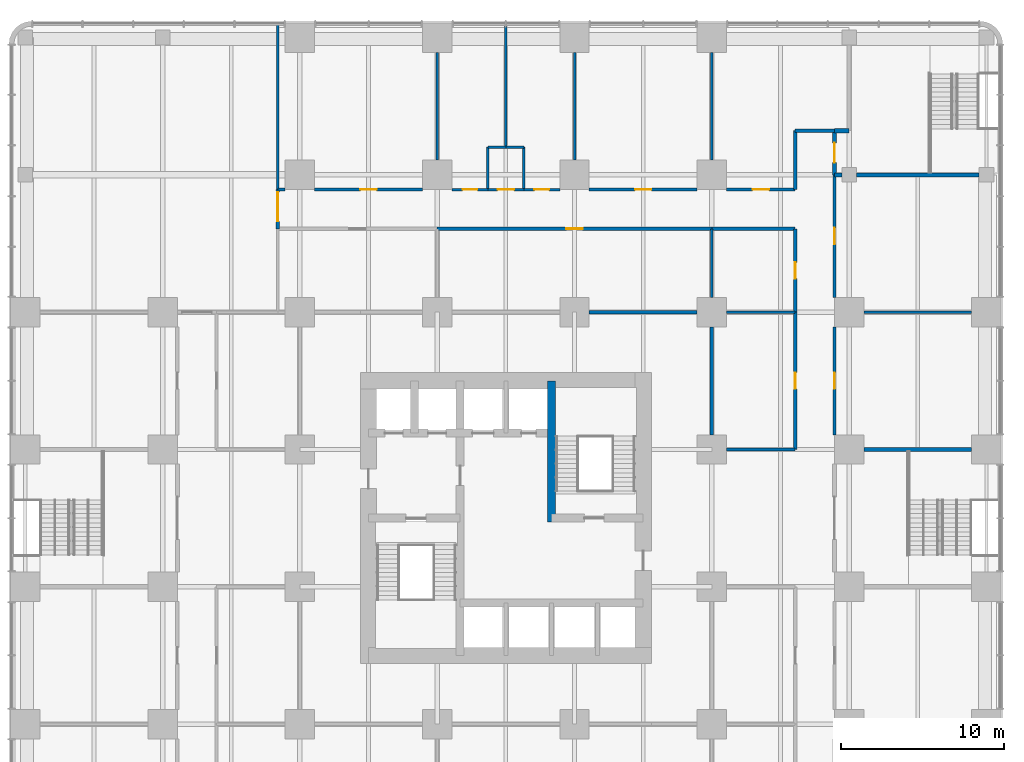
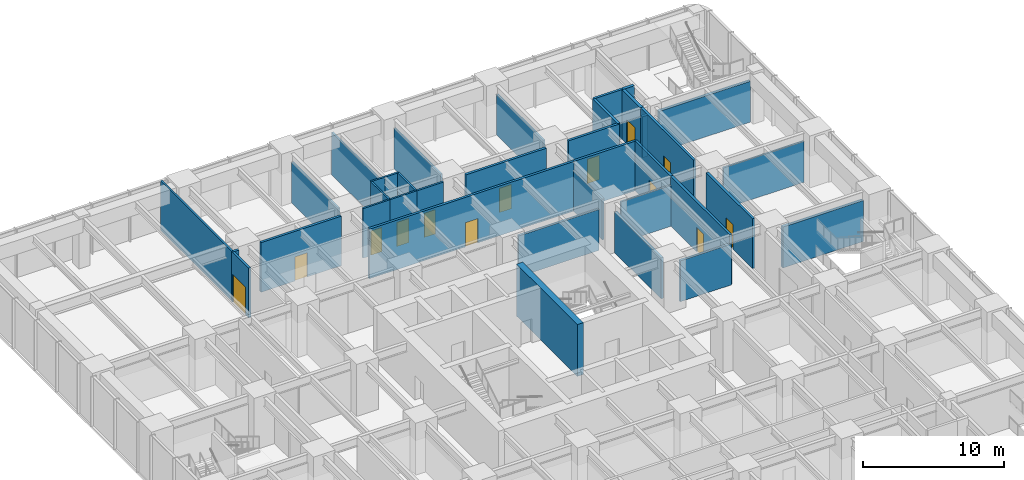
# One storey, part 12 of 17: 37 walls, 13 doors, 13 openings.
"""IFC4 building model written with IfcOpenShell, lengths in metres."""

from ifc_helpers import new_model, si_unit, direction, frame, frame_2d, origin, place, context, subcontext, project, spatial, rectangle, extrude, material, layer, layer_set, type_object, element, fill, save


model = new_model("IFC4")

# Units and contexts
model_context = context("Model", 3, precision=1e-05, world=origin(), true_north=direction((0.0, 1.0)))
body_context = subcontext(model_context, "Body", "Model", "MODEL_VIEW")
ifc_project = project(units=[si_unit("LENGTHUNIT", "METRE"), si_unit("AREAUNIT", "SQUARE_METRE"), si_unit("VOLUMEUNIT", "CUBIC_METRE"), si_unit("PLANEANGLEUNIT", "RADIAN"), si_unit("MASSUNIT", "GRAM", prefix="KILO")], contexts=[model_context])

# Site, building, storey
site_placement = place(None, origin())
site = spatial("IfcSite", under=ifc_project, at=site_placement, CompositionType="ELEMENT")
building_placement = place(site_placement, origin())
building = spatial("IfcBuilding", under=site, at=building_placement, Name="Torre Alcanfor", CompositionType="ELEMENT")
storey_placement = place(building_placement, frame((0.0, 0.0, 19.5)))
storey = spatial("IfcBuildingStorey", under=building, at=storey_placement, Name="L04", CompositionType="ELEMENT", Elevation=19.5)

# Walls
ifc_material_1 = material(Name="Concrete block masonry, hollow blocks NMX-C-404 9 MPa", Category="masonry")
ifc_layer_1 = layer(ifc_material_1, 0.14990234375)
ifc_layer_set_1 = layer_set([ifc_layer_1], Name="Classroom partition 150")
wall_type_1 = type_object("IfcWallType", Name="Classroom partition 150", PredefinedType="PARTITIONING", material=ifc_layer_set_1)
wall_1_placement = place(storey_placement, frame((51.300048828125, 42.0, 0.0), z_axis=(0.0, 0.0, 1.0), x_axis=(1.0, 0.0, 0.0)))
element("IfcWall", 1, at=wall_1_placement, inside=storey, type_object=wall_type_1, Name="Partition L04-13 / L04-14", PredefinedType="PARTITIONING", context=body_context, shape_type="SweptSolid", body=[
    extrude(rectangle(XDim=6.599853515625, YDim=0.14990234375, at=frame_2d((3.2998046875, 0.0))), origin(), (0.0, 0.0, 1.0), 3.543212890625),
])
wall_2_placement = place(storey_placement, frame((15.449951171875, 49.5, 0.0), z_axis=(0.0, 0.0, 1.0), x_axis=(0.0, 1.0, 0.0)))
element("IfcWall", 2, at=wall_2_placement, inside=storey, type_object=wall_type_1, Name="Partition L04-15 / L04-HALL", PredefinedType="PARTITIONING", context=body_context, shape_type="SweptSolid", body=[
    extrude(rectangle(XDim=10.1259765625, YDim=0.14990234375, at=frame_2d((5.06298828125, 0.0))), origin(), (0.0, 0.0, 1.0), 4.300048828125),
])
wall_3_placement = place(storey_placement, frame((42.0, 57.89990234375, 0.0), z_axis=(0.0, 0.0, 1.0), x_axis=(0.0, -1.0, 0.0)))
element("IfcWall", 3, at=wall_3_placement, inside=storey, type_object=wall_type_1, Name="Partition L04-16 / L04-18", PredefinedType="PARTITIONING", context=body_context, shape_type="SweptSolid", body=[
    extrude(rectangle(XDim=6.599853515625, YDim=0.14990234375, at=frame_2d((3.2998046875, 0.0))), origin(), (0.0, 0.0, 1.0), 3.543212890625),
])
for number, where, z_axis, x_axis, name in (
    (4, (42.89990234375, 42.0, 0.0), (0.0, 0.0, 1.0), (1.0, 0.0, 0.0), "Partition L04-I07 / L04-I10"),
    (5, (42.0, 47.10009765625, 0.0), (0.0, 0.0, 1.0), (0.0, -1.0, 0.0), "Partition L04-I09 / L04-I10"),
):
    element("IfcWall", number, at=place(storey_placement, frame(where, z_axis=z_axis, x_axis=x_axis)), inside=storey, type_object=wall_type_1, Name=name, PredefinedType="PARTITIONING", context=body_context, shape_type="SweptSolid", body=[
        extrude(rectangle(XDim=4.2001953125, YDim=0.14990234375, at=frame_2d((2.10009765625, 0.0))), origin(), (0.0, 0.0, 1.0), 3.543212890625),
    ])
ifc_material_2 = material(Name="Concrete f'c 70 MPa", Category="concrete")
ifc_layer_2 = layer(ifc_material_2, 0.5)
ifc_layer_set_2 = layer_set([ifc_layer_2], Name="Core inner wall 500 f'c70")
wall_type_2 = type_object("IfcWallType", Name="Core inner wall 500 f'c70", PredefinedType="SHEAR", material=ifc_layer_set_2)
wall_4_placement = place(storey_placement, frame((32.199951171875, 29.14990234375, 0.0), z_axis=(0.0, 0.0, 1.0), x_axis=(0.0, 1.0, 0.0)))
element("IfcWall", 6, at=wall_4_placement, inside=storey, type_object=wall_type_2, Name="Core wall X322N L04", PredefinedType="SHEAR", context=body_context, shape_type="SweptSolid", body=[
    extrude(rectangle(XDim=8.650146484375, YDim=0.5, at=frame_2d((4.3251953125, 0.0))), origin(), (0.0, 0.0, 1.0), 4.5),
])

# Wall, opening, door
ifc_material_3 = material(Name="Concrete block masonry, hollow blocks NMX-C-404 9 MPa", Category="masonry")
ifc_layer_3 = layer(ifc_material_3, 0.199951171875)
ifc_layer_set_3 = layer_set([ifc_layer_3], Name="School corridor wall 200")
wall_type_3 = type_object("IfcWallType", Name="School corridor wall 200", PredefinedType="PARTITIONING", material=ifc_layer_set_3)
wall_5_placement = place(storey_placement, frame((49.5, 34.5, 0.0), z_axis=(0.0, 0.0, 1.0), x_axis=(0.0, 1.0, 0.0)))
wall_5 = element("IfcWall", 7, at=wall_5_placement, inside=storey, type_object=wall_type_3, Name="Partition L04-13 / L04-CORR", PredefinedType="PARTITIONING", context=body_context, shape_type="SweptSolid", body=[
    extrude(rectangle(XDim=6.60009765625, YDim=0.199951171875, at=frame_2d((3.300048828125, 0.0))), origin(), (0.0, 0.0, 1.0), 4.300048828125),
])
opening_1_placement = place(wall_5_placement, frame((2.800048828125, 0.0, 0.0)))
opening_1 = element("IfcOpeningElement", 8, at=opening_1_placement, cuts=wall_5, Name="Opening D-C1", PredefinedType="OPENING", context=body_context, shape_type="SweptSolid", body=[
    extrude(rectangle(XDim=1.0, YDim=2.10009765625, at=frame_2d((0.5, 1.050048828125))), frame((0.0, 0.10986328125, 0.0), z_axis=(0.0, -1.0, 0.0), x_axis=(1.0, 0.0, 0.0)), (0.0, 0.0, 1.0), 0.219970703125),
])
ifc_material_4 = material(Name="Timber", Category="wood")
door_type_1 = type_object("IfcDoorType", Name="Classroom door 1000x2100", OperationType="SINGLE_SWING_RIGHT", PredefinedType="DOOR", material=ifc_material_4)
door_1_placement = place(opening_1_placement, frame((1.0, 0.0, 0.0), z_axis=(0.0, 0.0, 1.0), x_axis=(-1.0, 0.0, 0.0)))
door_1 = element("IfcDoor", 9, at=door_1_placement, inside=storey, type_object=door_type_1, Name="Door L04-13 classroom", OperationType="SINGLE_SWING_RIGHT", OverallHeight=2.10009765625, OverallWidth=1.0, PredefinedType="DOOR", context=body_context, shape_type="SweptSolid", body=[
    extrude(rectangle(XDim=1.0, YDim=2.10009765625, at=frame_2d((0.5, 1.050048828125))), frame((0.0, 0.025146484375, 0.0), z_axis=(0.0, -1.0, 0.0), x_axis=(1.0, 0.0, 0.0)), (0.0, 0.0, 1.0), 0.050048828125),
])
fill(opening_1, door_1)

wall_6_placement = place(storey_placement, frame((49.5, 42.89990234375, 0.0), z_axis=(0.0, 0.0, 1.0), x_axis=(0.0, 1.0, 0.0)))
wall_6 = element("IfcWall", 10, at=wall_6_placement, inside=storey, type_object=wall_type_3, Name="Partition L04-14 / L04-CORR", PredefinedType="PARTITIONING", context=body_context, shape_type="SweptSolid", body=[
    extrude(rectangle(XDim=7.5, YDim=0.199951171875, at=frame_2d((3.75, 0.0))), origin(), (0.0, 0.0, 1.0), 4.300048828125),
])
opening_2_placement = place(wall_6_placement, frame((3.25, 0.0, 0.0)))
opening_2 = element("IfcOpeningElement", 11, at=opening_2_placement, cuts=wall_6, Name="Opening D-C1", PredefinedType="OPENING", context=body_context, shape_type="SweptSolid", body=[
    extrude(rectangle(XDim=1.0, YDim=2.10009765625, at=frame_2d((0.5, 1.050048828125))), frame((0.0, 0.10986328125, 0.0), z_axis=(0.0, -1.0, 0.0), x_axis=(1.0, 0.0, 0.0)), (0.0, 0.0, 1.0), 0.219970703125),
])
door_2_placement = place(opening_2_placement, frame((1.0, 0.0, 0.0), z_axis=(0.0, 0.0, 1.0), x_axis=(-1.0, 0.0, 0.0)))
door_2 = element("IfcDoor", 12, at=door_2_placement, inside=storey, type_object=door_type_1, Name="Door L04-14 classroom", OperationType="SINGLE_SWING_RIGHT", OverallHeight=2.10009765625, OverallWidth=1.0, PredefinedType="DOOR", context=body_context, shape_type="SweptSolid", body=[
    extrude(rectangle(XDim=1.0, YDim=2.10009765625, at=frame_2d((0.5, 1.050048828125))), frame((0.0, 0.025146484375, 0.0), z_axis=(0.0, -1.0, 0.0), x_axis=(1.0, 0.0, 0.0)), (0.0, 0.0, 1.0), 0.050048828125),
])
fill(opening_2, door_2)

# Wall
wall_7_placement = place(storey_placement, frame((15.89990234375, 49.5, 0.0), z_axis=(0.0, 0.0, 1.0), x_axis=(-1.0, 0.0, 0.0)))
element("IfcWall", 13, at=wall_7_placement, inside=storey, type_object=wall_type_3, Name="Partition L04-15 / L04-CORR", PredefinedType="PARTITIONING", context=body_context, shape_type="SweptSolid", body=[
    extrude(rectangle(XDim=0.449951171875, YDim=0.199951171875, at=frame_2d((0.22509765625, 0.0))), origin(), (0.0, 0.0, 1.0), 4.300048828125),
])

# Wall, opening, door
wall_8_placement = place(storey_placement, frame((24.300048828125, 49.5, 0.0), z_axis=(0.0, 0.0, 1.0), x_axis=(-1.0, 0.0, 0.0)))
wall_8 = element("IfcWall", 14, at=wall_8_placement, inside=storey, type_object=wall_type_3, Name="Partition L04-15 / L04-CORR", PredefinedType="PARTITIONING", context=body_context, shape_type="SweptSolid", body=[
    extrude(rectangle(XDim=6.60009765625, YDim=0.199951171875, at=frame_2d((3.300048828125, 0.0))), origin(), (0.0, 0.0, 1.0), 4.300048828125),
])
opening_3_placement = place(wall_8_placement, frame((2.800048828125, 0.0, 0.0)))
opening_3 = element("IfcOpeningElement", 15, at=opening_3_placement, cuts=wall_8, Name="Opening D-C1", PredefinedType="OPENING", context=body_context, shape_type="SweptSolid", body=[
    extrude(rectangle(XDim=1.0, YDim=2.10009765625, at=frame_2d((0.5, 1.050048828125))), frame((0.0, 0.10986328125, 0.0), z_axis=(0.0, -1.0, 0.0), x_axis=(1.0, 0.0, 0.0)), (0.0, 0.0, 1.0), 0.219970703125),
])
door_3_placement = place(opening_3_placement, frame((1.0, 0.0, 0.0), z_axis=(0.0, 0.0, 1.0), x_axis=(-1.0, 0.0, 0.0)))
door_3 = element("IfcDoor", 16, at=door_3_placement, inside=storey, type_object=door_type_1, Name="Door L04-15 classroom", OperationType="SINGLE_SWING_RIGHT", OverallHeight=2.10009765625, OverallWidth=1.0, PredefinedType="DOOR", context=body_context, shape_type="SweptSolid", body=[
    extrude(rectangle(XDim=1.0, YDim=2.10009765625, at=frame_2d((0.5, 1.050048828125))), frame((0.0, 0.025146484375, 0.0), z_axis=(0.0, -1.0, 0.0), x_axis=(1.0, 0.0, 0.0)), (0.0, 0.0, 1.0), 0.050048828125),
])
fill(opening_3, door_3)

wall_9_placement = place(storey_placement, frame((41.10009765625, 49.5, 0.0), z_axis=(0.0, 0.0, 1.0), x_axis=(-1.0, 0.0, 0.0)))
wall_9 = element("IfcWall", 17, at=wall_9_placement, inside=storey, type_object=wall_type_3, Name="Partition L04-16 / L04-CORR", PredefinedType="PARTITIONING", context=body_context, shape_type="SweptSolid", body=[
    extrude(rectangle(XDim=6.60009765625, YDim=0.199951171875, at=frame_2d((3.300048828125, 0.0))), origin(), (0.0, 0.0, 1.0), 4.300048828125),
])
opening_4_placement = place(wall_9_placement, frame((2.800048828125, 0.0, 0.0)))
opening_4 = element("IfcOpeningElement", 18, at=opening_4_placement, cuts=wall_9, Name="Opening D-C1", PredefinedType="OPENING", context=body_context, shape_type="SweptSolid", body=[
    extrude(rectangle(XDim=1.0, YDim=2.10009765625, at=frame_2d((0.5, 1.050048828125))), frame((0.0, 0.10986328125, 0.0), z_axis=(0.0, -1.0, 0.0), x_axis=(1.0, 0.0, 0.0)), (0.0, 0.0, 1.0), 0.219970703125),
])
door_4_placement = place(opening_4_placement, frame((1.0, 0.0, 0.0), z_axis=(0.0, 0.0, 1.0), x_axis=(-1.0, 0.0, 0.0)))
door_4 = element("IfcDoor", 19, at=door_4_placement, inside=storey, type_object=door_type_1, Name="Door L04-16 classroom", OperationType="SINGLE_SWING_RIGHT", OverallHeight=2.10009765625, OverallWidth=1.0, PredefinedType="DOOR", context=body_context, shape_type="SweptSolid", body=[
    extrude(rectangle(XDim=1.0, YDim=2.10009765625, at=frame_2d((0.5, 1.050048828125))), frame((0.0, 0.025146484375, 0.0), z_axis=(0.0, -1.0, 0.0), x_axis=(1.0, 0.0, 0.0)), (0.0, 0.0, 1.0), 0.050048828125),
])
fill(opening_4, door_4)

# Walls
wall_10_placement = place(storey_placement, frame((49.5, 53.10009765625, 0.0), z_axis=(0.0, 0.0, 1.0), x_axis=(-1.0, 0.0, 0.0)))
element("IfcWall", 20, at=wall_10_placement, inside=storey, type_object=wall_type_3, Name="Partition L04-18 / L04-CORR", PredefinedType="PARTITIONING", context=body_context, shape_type="SweptSolid", body=[
    extrude(rectangle(XDim=2.39990234375, YDim=0.199951171875, at=frame_2d((1.199951171875, 0.0))), origin(), (0.0, 0.0, 1.0), 4.300048828125),
])
wall_11_placement = place(storey_placement, frame((47.10009765625, 53.10009765625, 0.0), z_axis=(0.0, 0.0, 1.0), x_axis=(0.0, -1.0, 0.0)))
element("IfcWall", 21, at=wall_11_placement, inside=storey, type_object=wall_type_3, Name="Partition L04-18 / L04-CORR", PredefinedType="PARTITIONING", context=body_context, shape_type="SweptSolid", body=[
    extrude(rectangle(XDim=3.60009765625, YDim=0.199951171875, at=frame_2d((1.800048828125, 0.0))), origin(), (0.0, 0.0, 1.0), 4.300048828125),
])

# Wall, opening, door
wall_12_placement = place(storey_placement, frame((47.10009765625, 49.5, 0.0), z_axis=(0.0, 0.0, 1.0), x_axis=(-1.0, 0.0, 0.0)))
wall_12 = element("IfcWall", 22, at=wall_12_placement, inside=storey, type_object=wall_type_3, Name="Partition L04-18 / L04-CORR", PredefinedType="PARTITIONING", context=body_context, shape_type="SweptSolid", body=[
    extrude(rectangle(XDim=4.2001953125, YDim=0.199951171875, at=frame_2d((2.10009765625, 0.0))), origin(), (0.0, 0.0, 1.0), 4.300048828125),
])
opening_5_placement = place(wall_12_placement, frame((1.60009765625, 0.0, 0.0)))
opening_5 = element("IfcOpeningElement", 23, at=opening_5_placement, cuts=wall_12, Name="Opening D-C1", PredefinedType="OPENING", context=body_context, shape_type="SweptSolid", body=[
    extrude(rectangle(XDim=1.0, YDim=2.10009765625, at=frame_2d((0.5, 1.050048828125))), frame((0.0, 0.10986328125, 0.0), z_axis=(0.0, -1.0, 0.0), x_axis=(1.0, 0.0, 0.0)), (0.0, 0.0, 1.0), 0.219970703125),
])
door_5_placement = place(opening_5_placement, frame((1.0, 0.0, 0.0), z_axis=(0.0, 0.0, 1.0), x_axis=(-1.0, 0.0, 0.0)))
door_5 = element("IfcDoor", 24, at=door_5_placement, inside=storey, type_object=door_type_1, Name="Door L04-18 classroom", OperationType="SINGLE_SWING_RIGHT", OverallHeight=2.10009765625, OverallWidth=1.0, PredefinedType="DOOR", context=body_context, shape_type="SweptSolid", body=[
    extrude(rectangle(XDim=1.0, YDim=2.10009765625, at=frame_2d((0.5, 1.050048828125))), frame((0.0, 0.025146484375, 0.0), z_axis=(0.0, -1.0, 0.0), x_axis=(1.0, 0.0, 0.0)), (0.0, 0.0, 1.0), 0.050048828125),
])
fill(opening_5, door_5)

wall_13_placement = place(storey_placement, frame((15.449951171875, 49.5, 0.0), z_axis=(0.0, 0.0, 1.0), x_axis=(0.0, -1.0, 0.0)))
wall_13 = element("IfcWall", 25, at=wall_13_placement, inside=storey, type_object=wall_type_3, Name="Partition L04-HALL / L04-CORR", PredefinedType="PARTITIONING", context=body_context, shape_type="SweptSolid", body=[
    extrude(rectangle(XDim=2.39990234375, YDim=0.199951171875, at=frame_2d((1.199951171875, 0.0))), origin(), (0.0, 0.0, 1.0), 4.300048828125),
])
opening_6_placement = place(wall_13_placement, frame((0.14990234375, 0.0, 0.0)))
opening_6 = element("IfcOpeningElement", 26, at=opening_6_placement, cuts=wall_13, Name="Opening D-C2", PredefinedType="OPENING", context=body_context, shape_type="SweptSolid", body=[
    extrude(rectangle(XDim=1.800048828125, YDim=2.39990234375, at=frame_2d((0.89990234375, 1.199951171875))), frame((0.0, 0.10986328125, 0.0), z_axis=(0.0, -1.0, 0.0), x_axis=(1.0, 0.0, 0.0)), (0.0, 0.0, 1.0), 0.219970703125),
])
ifc_material_5 = material(Name="Timber", Category="wood")
door_type_2 = type_object("IfcDoorType", Name="Double door 1800x2400", OperationType="DOUBLE_DOOR_SINGLE_SWING", PredefinedType="DOOR", material=ifc_material_5)
door_6_placement = place(opening_6_placement, origin())
door_6 = element("IfcDoor", 27, at=door_6_placement, inside=storey, type_object=door_type_2, Name="Door L04-HALL sports hall second exit", OperationType="DOUBLE_DOOR_SINGLE_SWING", OverallHeight=2.39990234375, OverallWidth=1.800048828125, PredefinedType="DOOR", context=body_context, shape_type="SweptSolid", body=[
    extrude(rectangle(XDim=1.800048828125, YDim=2.39990234375, at=frame_2d((0.89990234375, 1.199951171875))), frame((0.0, 0.02490234375, 0.0), z_axis=(0.0, -1.0, 0.0), x_axis=(1.0, 0.0, 0.0)), (0.0, 0.0, 1.0), 0.050048828125),
])
fill(opening_6, door_6)

wall_14_placement = place(storey_placement, frame((47.10009765625, 33.60009765625, 0.0), z_axis=(0.0, 0.0, 1.0), x_axis=(0.0, 1.0, 0.0)))
wall_14 = element("IfcWall", 28, at=wall_14_placement, inside=storey, type_object=wall_type_3, Name="Partition L04-CORR / L04-I07", PredefinedType="PARTITIONING", context=body_context, shape_type="SweptSolid", body=[
    extrude(rectangle(XDim=8.39990234375, YDim=0.199951171875, at=frame_2d((4.199951171875, 0.0))), origin(), (0.0, 0.0, 1.0), 4.300048828125),
])
opening_7_placement = place(wall_14_placement, frame((3.699951171875, 0.0, 0.0)))
opening_7 = element("IfcOpeningElement", 29, at=opening_7_placement, cuts=wall_14, Name="Opening D-C1", PredefinedType="OPENING", context=body_context, shape_type="SweptSolid", body=[
    extrude(rectangle(XDim=1.0, YDim=2.10009765625, at=frame_2d((0.5, 1.050048828125))), frame((0.0, 0.10986328125, 0.0), z_axis=(0.0, -1.0, 0.0), x_axis=(1.0, 0.0, 0.0)), (0.0, 0.0, 1.0), 0.219970703125),
])
door_7_placement = place(opening_7_placement, origin())
door_7 = element("IfcDoor", 30, at=door_7_placement, inside=storey, type_object=door_type_1, Name="Door L04-I07 practice room", OperationType="SINGLE_SWING_LEFT", OverallHeight=2.10009765625, OverallWidth=1.0, PredefinedType="DOOR", context=body_context, shape_type="SweptSolid", body=[
    extrude(rectangle(XDim=1.0, YDim=2.10009765625, at=frame_2d((0.5, 1.050048828125))), frame((0.0, 0.02490234375, 0.0), z_axis=(0.0, -1.0, 0.0), x_axis=(1.0, 0.0, 0.0)), (0.0, 0.0, 1.0), 0.050048828125),
])
fill(opening_7, door_7)

wall_15_placement = place(storey_placement, frame((42.0, 47.10009765625, 0.0), z_axis=(0.0, 0.0, 1.0), x_axis=(-1.0, 0.0, 0.0)))
wall_15 = element("IfcWall", 31, at=wall_15_placement, inside=storey, type_object=wall_type_3, Name="Partition L04-CORR / L04-I09", PredefinedType="PARTITIONING", context=body_context, shape_type="SweptSolid", body=[
    extrude(rectangle(XDim=16.800048828125, YDim=0.199951171875, at=frame_2d((8.39990234375, 0.0))), origin(), (0.0, 0.0, 1.0), 4.300048828125),
])
opening_8_placement = place(wall_15_placement, frame((7.89990234375, 0.0, 0.0)))
opening_8 = element("IfcOpeningElement", 32, at=opening_8_placement, cuts=wall_15, Name="Opening D-C1", PredefinedType="OPENING", context=body_context, shape_type="SweptSolid", body=[
    extrude(rectangle(XDim=1.0, YDim=2.10009765625, at=frame_2d((0.5, 1.050048828125))), frame((0.0, 0.10986328125, 0.0), z_axis=(0.0, -1.0, 0.0), x_axis=(1.0, 0.0, 0.0)), (0.0, 0.0, 1.0), 0.219970703125),
])
door_8_placement = place(opening_8_placement, origin())
door_8 = element("IfcDoor", 33, at=door_8_placement, inside=storey, type_object=door_type_1, Name="Door L04-I09 music room", OperationType="SINGLE_SWING_LEFT", OverallHeight=2.10009765625, OverallWidth=1.0, PredefinedType="DOOR", context=body_context, shape_type="SweptSolid", body=[
    extrude(rectangle(XDim=1.0, YDim=2.10009765625, at=frame_2d((0.5, 1.050048828125))), frame((0.0, 0.02490234375, 0.0), z_axis=(0.0, -1.0, 0.0), x_axis=(1.0, 0.0, 0.0)), (0.0, 0.0, 1.0), 0.050048828125),
])
fill(opening_8, door_8)

wall_16_placement = place(storey_placement, frame((47.10009765625, 42.0, 0.0), z_axis=(0.0, 0.0, 1.0), x_axis=(0.0, 1.0, 0.0)))
wall_16 = element("IfcWall", 34, at=wall_16_placement, inside=storey, type_object=wall_type_3, Name="Partition L04-CORR / L04-I10", PredefinedType="PARTITIONING", context=body_context, shape_type="SweptSolid", body=[
    extrude(rectangle(XDim=5.10009765625, YDim=0.199951171875, at=frame_2d((2.550048828125, 0.0))), origin(), (0.0, 0.0, 1.0), 4.300048828125),
])
opening_9_placement = place(wall_16_placement, frame((2.050048828125, 0.0, 0.0)))
opening_9 = element("IfcOpeningElement", 35, at=opening_9_placement, cuts=wall_16, Name="Opening D-C1", PredefinedType="OPENING", context=body_context, shape_type="SweptSolid", body=[
    extrude(rectangle(XDim=1.0, YDim=2.10009765625, at=frame_2d((0.5, 1.050048828125))), frame((0.0, 0.10986328125, 0.0), z_axis=(0.0, -1.0, 0.0), x_axis=(1.0, 0.0, 0.0)), (0.0, 0.0, 1.0), 0.219970703125),
])
door_9_placement = place(opening_9_placement, origin())
door_9 = element("IfcDoor", 36, at=door_9_placement, inside=storey, type_object=door_type_1, Name="Door L04-I10 store", OperationType="SINGLE_SWING_LEFT", OverallHeight=2.10009765625, OverallWidth=1.0, PredefinedType="DOOR", context=body_context, shape_type="SweptSolid", body=[
    extrude(rectangle(XDim=1.0, YDim=2.10009765625, at=frame_2d((0.5, 1.050048828125))), frame((0.0, 0.02490234375, 0.0), z_axis=(0.0, -1.0, 0.0), x_axis=(1.0, 0.0, 0.0)), (0.0, 0.0, 1.0), 0.050048828125),
])
fill(opening_9, door_9)

# Walls
wall_17_placement = place(storey_placement, frame((47.10009765625, 47.10009765625, 0.0), z_axis=(0.0, 0.0, 1.0), x_axis=(-1.0, 0.0, 0.0)))
element("IfcWall", 37, at=wall_17_placement, inside=storey, type_object=wall_type_3, Name="Partition L04-CORR / L04-I10", PredefinedType="PARTITIONING", context=body_context, shape_type="SweptSolid", body=[
    extrude(rectangle(XDim=5.10009765625, YDim=0.199951171875, at=frame_2d((2.550048828125, 0.0))), origin(), (0.0, 0.0, 1.0), 4.300048828125),
])
wall_18_placement = place(storey_placement, frame((42.0, 41.10009765625, 0.0), z_axis=(0.0, 0.0, 1.0), x_axis=(0.0, -1.0, 0.0)))
element("IfcWall", 38, at=wall_18_placement, inside=storey, type_object=wall_type_3, Name="Partition L04-LLE / L04-I07", PredefinedType="PARTITIONING", context=body_context, shape_type="SweptSolid", body=[
    extrude(rectangle(XDim=6.60009765625, YDim=0.199951171875, at=frame_2d((3.300048828125, 0.0))), origin(), (0.0, 0.0, 1.0), 3.543212890625),
])
wall_19_placement = place(storey_placement, frame((42.89990234375, 33.60009765625, 0.0), z_axis=(0.0, 0.0, 1.0), x_axis=(1.0, 0.0, 0.0)))
element("IfcWall", 39, at=wall_19_placement, inside=storey, type_object=wall_type_3, Name="Partition L04-LLE / L04-I07", PredefinedType="PARTITIONING", context=body_context, shape_type="SweptSolid", body=[
    extrude(rectangle(XDim=4.2001953125, YDim=0.199951171875, at=frame_2d((2.10009765625, 0.0))), origin(), (0.0, 0.0, 1.0), 3.543212890625),
])
wall_20_placement = place(storey_placement, frame((34.5, 42.0, 0.0), z_axis=(0.0, 0.0, 1.0), x_axis=(1.0, 0.0, 0.0)))
element("IfcWall", 40, at=wall_20_placement, inside=storey, type_object=wall_type_3, Name="Partition L04-LLE / L04-I09", PredefinedType="PARTITIONING", context=body_context, shape_type="SweptSolid", body=[
    extrude(rectangle(XDim=6.60009765625, YDim=0.199951171875, at=frame_2d((3.300048828125, 0.0))), origin(), (0.0, 0.0, 1.0), 3.543212890625),
])
ifc_material_6 = material(Name="Reinforced concrete block masonry, hollow blocks NMX-C-404 9 MPa", Category="masonry")
ifc_layer_4 = layer(ifc_material_6, 0.25)
ifc_layer_set_4 = layer_set([ifc_layer_4], Name="Stair enclosure wall 250 EI 120")
wall_type_4 = type_object("IfcWallType", Name="Stair enclosure wall 250 EI 120", PredefinedType="SOLIDWALL", material=ifc_layer_set_4)
wall_21_placement = place(storey_placement, frame((51.300048828125, 33.60009765625, 0.0), z_axis=(0.0, 0.0, 1.0), x_axis=(1.0, 0.0, 0.0)))
element("IfcWall", 41, at=wall_21_placement, inside=storey, type_object=wall_type_4, Name="Partition L04-SS2 / L04-13", PredefinedType="SOLIDWALL", context=body_context, shape_type="SweptSolid", body=[
    extrude(rectangle(XDim=6.599853515625, YDim=0.25, at=frame_2d((3.2998046875, 0.0))), origin(), (0.0, 0.0, 1.0), 3.543212890625),
])
wall_22_placement = place(storey_placement, frame((49.949951171875, 50.39990234375, 0.0), z_axis=(0.0, 0.0, 1.0), x_axis=(-1.0, 0.0, 0.0)))
element("IfcWall", 42, at=wall_22_placement, inside=storey, type_object=wall_type_4, Name="Partition L04-SS4 / L04-14", PredefinedType="SOLIDWALL", context=body_context, shape_type="SweptSolid", body=[
    extrude(rectangle(XDim=0.449951171875, YDim=0.25, at=frame_2d((0.22509765625, 0.0))), origin(), (0.0, 0.0, 1.0), 3.543212890625),
])
wall_23_placement = place(storey_placement, frame((58.35009765625, 50.39990234375, 0.0), z_axis=(0.0, 0.0, 1.0), x_axis=(-1.0, 0.0, 0.0)))
element("IfcWall", 43, at=wall_23_placement, inside=storey, type_object=wall_type_4, Name="Partition L04-SS4 / L04-14", PredefinedType="SOLIDWALL", context=body_context, shape_type="SweptSolid", body=[
    extrude(rectangle(XDim=7.5, YDim=0.25, at=frame_2d((3.75, 0.0))), origin(), (0.0, 0.0, 1.0), 3.543212890625),
])
wall_24_placement = place(storey_placement, frame((49.5, 53.10009765625, 0.0), z_axis=(0.0, 0.0, 1.0), x_axis=(1.0, 0.0, 0.0)))
element("IfcWall", 44, at=wall_24_placement, inside=storey, type_object=wall_type_4, Name="Partition L04-SS4 / L04-18", PredefinedType="SOLIDWALL", context=body_context, shape_type="SweptSolid", body=[
    extrude(rectangle(XDim=0.89990234375, YDim=0.25, at=frame_2d((0.449951171875, 0.0))), origin(), (0.0, 0.0, 1.0), 4.300048828125),
])

# Wall, opening, door
wall_25_placement = place(storey_placement, frame((49.5, 50.39990234375, 0.0), z_axis=(0.0, 0.0, 1.0), x_axis=(0.0, 1.0, 0.0)))
wall_25 = element("IfcWall", 45, at=wall_25_placement, inside=storey, type_object=wall_type_4, Name="Partition L04-SS4 / L04-CORR", PredefinedType="SOLIDWALL", context=body_context, shape_type="SweptSolid", body=[
    extrude(rectangle(XDim=2.7001953125, YDim=0.25, at=frame_2d((1.35009765625, 0.0))), origin(), (0.0, 0.0, 1.0), 4.300048828125),
])
opening_10_placement = place(wall_25_placement, frame((0.75, 0.0, 0.0)))
opening_10 = element("IfcOpeningElement", 46, at=opening_10_placement, cuts=wall_25, Name="Opening D-L1", PredefinedType="OPENING", context=body_context, shape_type="SweptSolid", body=[
    extrude(rectangle(XDim=1.199951171875, YDim=2.10009765625, at=frame_2d((0.60009765625, 1.050048828125))), frame((0.0, 0.135009765625, 0.0), z_axis=(0.0, -1.0, 0.0), x_axis=(1.0, 0.0, 0.0)), (0.0, 0.0, 1.0), 0.27001953125),
])
ifc_material_7 = material(Name="Galvanised steel sheet ASTM A653", Category="steel")
door_type_3 = type_object("IfcDoorType", Name="Lobby door FD120 1200x2100", OperationType="SINGLE_SWING_LEFT", PredefinedType="DOOR", material=ifc_material_7)
door_10_placement = place(opening_10_placement, frame((1.199951171875, 0.0, 0.0), z_axis=(0.0, 0.0, 1.0), x_axis=(-1.0, 0.0, 0.0)))
door_10 = element("IfcDoor", 47, at=door_10_placement, inside=storey, type_object=door_type_3, Name="Door L04-SS4 school stair ss4", OperationType="SINGLE_SWING_RIGHT", OverallHeight=2.10009765625, OverallWidth=1.199951171875, PredefinedType="DOOR", context=body_context, shape_type="SweptSolid", body=[
    extrude(rectangle(XDim=1.199951171875, YDim=2.10009765625, at=frame_2d((0.599853515625, 1.050048828125))), frame((0.0, 0.025146484375, 0.0), z_axis=(0.0, -1.0, 0.0), x_axis=(1.0, 0.0, 0.0)), (0.0, 0.0, 1.0), 0.050048828125),
])
fill(opening_10, door_10)

# Walls
ifc_material_8 = material(Name="Cement board on steel studs", Category="steel")
ifc_layer_5 = layer(ifc_material_8, 0.14990234375)
ifc_layer_set_5 = layer_set([ifc_layer_5], Name="Wet area partition 150")
wall_type_5 = type_object("IfcWallType", Name="Wet area partition 150", PredefinedType="PARTITIONING", material=ifc_layer_set_5)
wall_26_placement = place(storey_placement, frame((29.39990234375, 52.10009765625, 0.0), z_axis=(0.0, 0.0, 1.0), x_axis=(-1.0, 0.0, 0.0)))
element("IfcWall", 48, at=wall_26_placement, inside=storey, type_object=wall_type_5, Name="Partition L04-WCN1 / L04-WCN2", PredefinedType="PARTITIONING", context=body_context, shape_type="SweptSolid", body=[
    extrude(rectangle(XDim=1.099853515625, YDim=0.14990234375, at=frame_2d((0.5498046875, 0.0))), origin(), (0.0, 0.0, 1.0), 4.300048828125),
])
wall_27_placement = place(storey_placement, frame((28.300048828125, 52.10009765625, 0.0), z_axis=(0.0, 0.0, 1.0), x_axis=(0.0, -1.0, 0.0)))
element("IfcWall", 49, at=wall_27_placement, inside=storey, type_object=wall_type_5, Name="Partition L04-WCN1 / L04-WCN2", PredefinedType="PARTITIONING", context=body_context, shape_type="SweptSolid", body=[
    extrude(rectangle(XDim=2.60009765625, YDim=0.14990234375, at=frame_2d((1.300048828125, 0.0))), origin(), (0.0, 0.0, 1.0), 4.300048828125),
])
wall_28_placement = place(storey_placement, frame((29.39990234375, 59.5, 0.0), z_axis=(0.0, 0.0, 1.0), x_axis=(0.0, -1.0, 0.0)))
element("IfcWall", 50, at=wall_28_placement, inside=storey, type_object=wall_type_5, Name="Partition L04-WCN1 / L04-WCN3", PredefinedType="PARTITIONING", context=body_context, shape_type="SweptSolid", body=[
    extrude(rectangle(XDim=7.39990234375, YDim=0.14990234375, at=frame_2d((3.699951171875, 0.0))), origin(), (0.0, 0.0, 1.0), 3.68798828125),
])
wall_29_placement = place(storey_placement, frame((25.199951171875, 51.300048828125, 0.0), z_axis=(0.0, 0.0, 1.0), x_axis=(0.0, 1.0, 0.0)))
element("IfcWall", 51, at=wall_29_placement, inside=storey, type_object=wall_type_5, Name="Partition L04-WCN1 / L04-15", PredefinedType="PARTITIONING", context=body_context, shape_type="SweptSolid", body=[
    extrude(rectangle(XDim=6.599853515625, YDim=0.14990234375, at=frame_2d((3.2998046875, 0.0))), origin(), (0.0, 0.0, 1.0), 3.543212890625),
])

# Wall, opening, door
wall_30_placement = place(storey_placement, frame((28.300048828125, 49.5, 0.0), z_axis=(0.0, 0.0, 1.0), x_axis=(-1.0, 0.0, 0.0)))
wall_30 = element("IfcWall", 52, at=wall_30_placement, inside=storey, type_object=wall_type_5, Name="Partition L04-WCN1 / L04-CORR", PredefinedType="PARTITIONING", context=body_context, shape_type="SweptSolid", body=[
    extrude(rectangle(XDim=2.199951171875, YDim=0.14990234375, at=frame_2d((1.10009765625, 0.0))), origin(), (0.0, 0.0, 1.0), 4.300048828125),
])
opening_11_placement = place(wall_30_placement, frame((0.64990234375, 0.0, 0.0)))
opening_11 = element("IfcOpeningElement", 53, at=opening_11_placement, cuts=wall_30, Name="Opening D-W1", PredefinedType="OPENING", context=body_context, shape_type="SweptSolid", body=[
    extrude(rectangle(XDim=0.89990234375, YDim=2.10009765625, at=frame_2d((0.449951171875, 1.050048828125))), frame((0.0, 0.0849609375, 0.0), z_axis=(0.0, -1.0, 0.0), x_axis=(1.0, 0.0, 0.0)), (0.0, 0.0, 1.0), 0.169921875),
])
ifc_material_9 = material(Name="Timber", Category="wood")
door_type_4 = type_object("IfcDoorType", Name="Toilet door 900x2100", OperationType="SINGLE_SWING_LEFT", PredefinedType="DOOR", material=ifc_material_9)
door_11_placement = place(opening_11_placement, frame((0.89990234375, 0.0, 0.0), z_axis=(0.0, 0.0, 1.0), x_axis=(-1.0, 0.0, 0.0)))
door_11 = element("IfcDoor", 54, at=door_11_placement, inside=storey, type_object=door_type_4, Name="Door L04-WCN1 boys toilets", OperationType="SINGLE_SWING_RIGHT", OverallHeight=2.10009765625, OverallWidth=0.89990234375, PredefinedType="DOOR", context=body_context, shape_type="SweptSolid", body=[
    extrude(rectangle(XDim=0.89990234375, YDim=2.10009765625, at=frame_2d((0.449951171875, 1.050048828125))), frame((0.0, 0.025146484375, 0.0), z_axis=(0.0, -1.0, 0.0), x_axis=(1.0, 0.0, 0.0)), (0.0, 0.0, 1.0), 0.050048828125),
])
fill(opening_11, door_11)

# Walls
wall_31_placement = place(storey_placement, frame((29.39990234375, 52.10009765625, 0.0), z_axis=(0.0, 0.0, 1.0), x_axis=(1.0, 0.0, 0.0)))
element("IfcWall", 55, at=wall_31_placement, inside=storey, type_object=wall_type_5, Name="Partition L04-WCN2 / L04-WCN3", PredefinedType="PARTITIONING", context=body_context, shape_type="SweptSolid", body=[
    extrude(rectangle(XDim=1.10009765625, YDim=0.14990234375, at=frame_2d((0.550048828125, 0.0))), origin(), (0.0, 0.0, 1.0), 4.300048828125),
])
wall_32_placement = place(storey_placement, frame((30.5, 52.10009765625, 0.0), z_axis=(0.0, 0.0, 1.0), x_axis=(0.0, -1.0, 0.0)))
element("IfcWall", 56, at=wall_32_placement, inside=storey, type_object=wall_type_5, Name="Partition L04-WCN2 / L04-WCN3", PredefinedType="PARTITIONING", context=body_context, shape_type="SweptSolid", body=[
    extrude(rectangle(XDim=2.60009765625, YDim=0.14990234375, at=frame_2d((1.300048828125, 0.0))), origin(), (0.0, 0.0, 1.0), 4.300048828125),
])

# Wall, opening, door
wall_33_placement = place(storey_placement, frame((30.5, 49.5, 0.0), z_axis=(0.0, 0.0, 1.0), x_axis=(-1.0, 0.0, 0.0)))
wall_33 = element("IfcWall", 57, at=wall_33_placement, inside=storey, type_object=wall_type_5, Name="Partition L04-WCN2 / L04-CORR", PredefinedType="PARTITIONING", context=body_context, shape_type="SweptSolid", body=[
    extrude(rectangle(XDim=2.199951171875, YDim=0.14990234375, at=frame_2d((1.10009765625, 0.0))), origin(), (0.0, 0.0, 1.0), 4.300048828125),
])
opening_12_placement = place(wall_33_placement, frame((0.60009765625, 0.0, 0.0)))
opening_12 = element("IfcOpeningElement", 58, at=opening_12_placement, cuts=wall_33, Name="Opening D-W2", PredefinedType="OPENING", context=body_context, shape_type="SweptSolid", body=[
    extrude(rectangle(XDim=1.0, YDim=2.10009765625, at=frame_2d((0.5, 1.050048828125))), frame((0.0, 0.0849609375, 0.0), z_axis=(0.0, -1.0, 0.0), x_axis=(1.0, 0.0, 0.0)), (0.0, 0.0, 1.0), 0.169921875),
])
ifc_material_10 = material(Name="Timber", Category="wood")
door_type_5 = type_object("IfcDoorType", Name="Accessible WC door 1000x2100", OperationType="SINGLE_SWING_LEFT", PredefinedType="DOOR", material=ifc_material_10)
door_12_placement = place(opening_12_placement, origin())
door_12 = element("IfcDoor", 59, at=door_12_placement, inside=storey, type_object=door_type_5, Name="Door L04-WCN2 accessible wc", OperationType="SINGLE_SWING_RIGHT", OverallHeight=2.10009765625, OverallWidth=1.0, PredefinedType="DOOR", context=body_context, shape_type="SweptSolid", body=[
    extrude(rectangle(XDim=1.0, YDim=2.10009765625, at=frame_2d((0.5, 1.050048828125))), frame((0.0, 0.02490234375, 0.0), z_axis=(0.0, -1.0, 0.0), x_axis=(1.0, 0.0, 0.0)), (0.0, 0.0, 1.0), 0.050048828125),
])
fill(opening_12, door_12)

# Wall
wall_34_placement = place(storey_placement, frame((33.60009765625, 57.89990234375, 0.0), z_axis=(0.0, 0.0, 1.0), x_axis=(0.0, -1.0, 0.0)))
element("IfcWall", 60, at=wall_34_placement, inside=storey, type_object=wall_type_5, Name="Partition L04-WCN3 / L04-16", PredefinedType="PARTITIONING", context=body_context, shape_type="SweptSolid", body=[
    extrude(rectangle(XDim=6.599853515625, YDim=0.14990234375, at=frame_2d((3.2998046875, 0.0))), origin(), (0.0, 0.0, 1.0), 3.543212890625),
])

# Wall, opening, door
wall_35_placement = place(storey_placement, frame((32.699951171875, 49.5, 0.0), z_axis=(0.0, 0.0, 1.0), x_axis=(-1.0, 0.0, 0.0)))
wall_35 = element("IfcWall", 61, at=wall_35_placement, inside=storey, type_object=wall_type_5, Name="Partition L04-WCN3 / L04-CORR", PredefinedType="PARTITIONING", context=body_context, shape_type="SweptSolid", body=[
    extrude(rectangle(XDim=2.199951171875, YDim=0.14990234375, at=frame_2d((1.10009765625, 0.0))), origin(), (0.0, 0.0, 1.0), 4.300048828125),
])
opening_13_placement = place(wall_35_placement, frame((0.64990234375, 0.0, 0.0)))
opening_13 = element("IfcOpeningElement", 62, at=opening_13_placement, cuts=wall_35, Name="Opening D-W1", PredefinedType="OPENING", context=body_context, shape_type="SweptSolid", body=[
    extrude(rectangle(XDim=0.89990234375, YDim=2.10009765625, at=frame_2d((0.449951171875, 1.050048828125))), frame((0.0, 0.0849609375, 0.0), z_axis=(0.0, -1.0, 0.0), x_axis=(1.0, 0.0, 0.0)), (0.0, 0.0, 1.0), 0.169921875),
])
door_13_placement = place(opening_13_placement, frame((0.89990234375, 0.0, 0.0), z_axis=(0.0, 0.0, 1.0), x_axis=(-1.0, 0.0, 0.0)))
door_13 = element("IfcDoor", 63, at=door_13_placement, inside=storey, type_object=door_type_4, Name="Door L04-WCN3 girls toilets", OperationType="SINGLE_SWING_RIGHT", OverallHeight=2.10009765625, OverallWidth=0.89990234375, PredefinedType="DOOR", context=body_context, shape_type="SweptSolid", body=[
    extrude(rectangle(XDim=0.89990234375, YDim=2.10009765625, at=frame_2d((0.449951171875, 1.050048828125))), frame((0.0, 0.025146484375, 0.0), z_axis=(0.0, -1.0, 0.0), x_axis=(1.0, 0.0, 0.0)), (0.0, 0.0, 1.0), 0.050048828125),
])
fill(opening_13, door_13)

save(model, "model.ifc")
